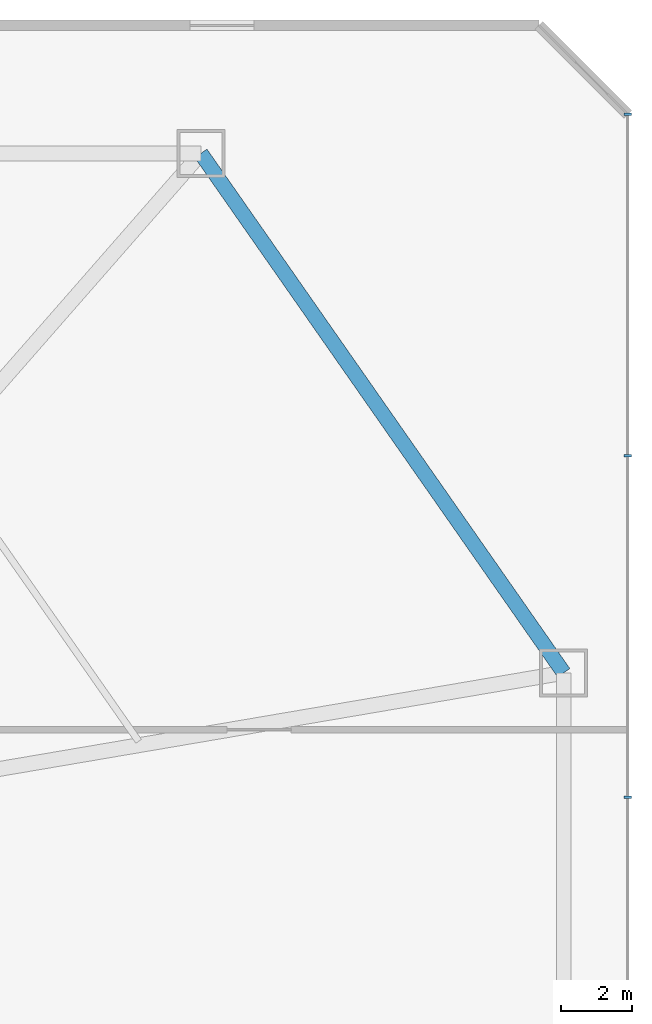
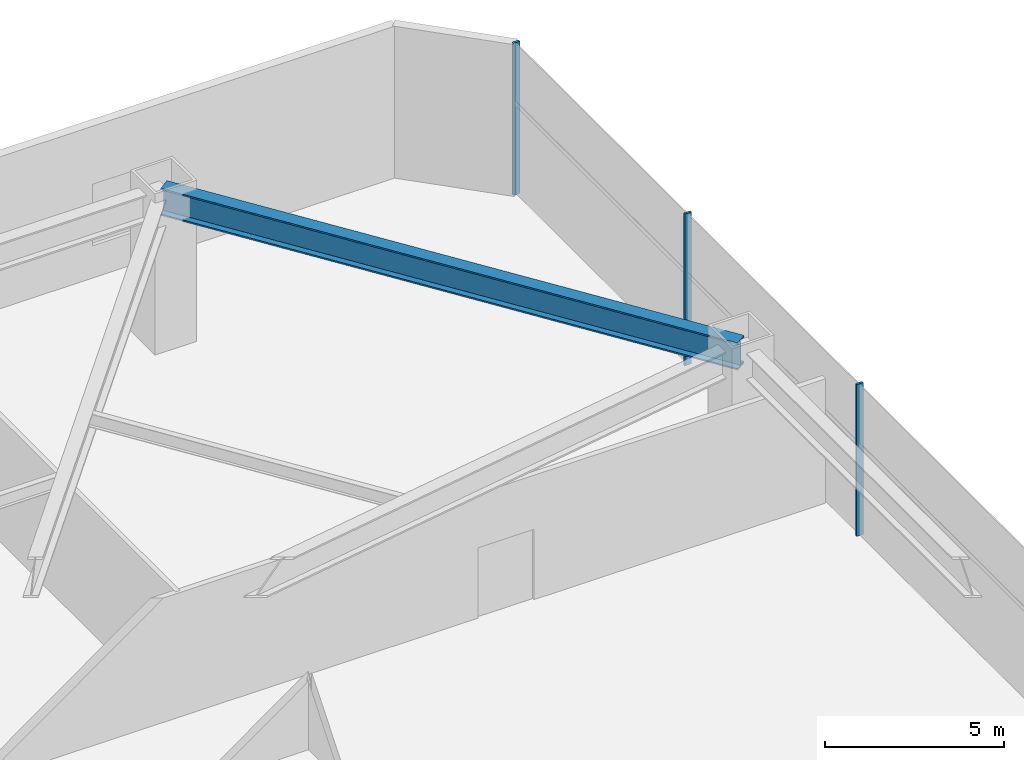
# One storey, part 11 of 20: 3 members, 1 beam, 1 element without a shape of its own.
"""IFC4 building model written with IfcOpenShell, lengths in metres."""

from ifc_helpers import new_model, si_unit, direction, frame, origin, origin_2d, place, context, subcontext, project, spatial, rectangle, i_section, extrude, source, transform, mapped, material, layer, layer_set, material_profile, profile_set, type_object, type_shapes, element, aggregate, save


model = new_model("IFC4")

# Units and contexts
model_context = context("Model", 3, precision=1e-05, world=origin(), true_north=direction((0.0, 1.0)))
body_context = subcontext(model_context, "Body", "Model", "MODEL_VIEW")
ifc_project = project(units=[si_unit("LENGTHUNIT", "METRE"), si_unit("AREAUNIT", "SQUARE_METRE"), si_unit("VOLUMEUNIT", "CUBIC_METRE"), si_unit("PLANEANGLEUNIT", "RADIAN"), si_unit("MASSUNIT", "GRAM", prefix="KILO")], contexts=[model_context])

# Site, building, storey
site_placement = place(None, origin())
site = spatial("IfcSite", under=ifc_project, at=site_placement, CompositionType="ELEMENT")
building_placement = place(site_placement, origin())
building = spatial("IfcBuilding", under=site, at=building_placement, Name="Varakhsha Concourse Tower", CompositionType="ELEMENT")
storey_placement = place(building_placement, frame((0.0, 0.0, 16.5)))
storey = spatial("IfcBuildingStorey", under=building, at=storey_placement, Name="L04", CompositionType="ELEMENT", Elevation=16.5)

# Beam
ifc_material_1 = material(Name="Structural Steel ASTM A992 Grade 50", Category="steel")
ifc_material_profile_1 = material_profile(ifc_material_1, i_section(OverallWidth=0.41796875, OverallDepth=0.927001953125, WebThickness=0.030029296875, FlangeThickness=0.051025390625, at=origin_2d()), Name="W36X231")
ifc_profile_set_1 = profile_set([ifc_material_profile_1], Name="Structural Steel ASTM A992 Grade 50")
beam_type = type_object("IfcBeamType", Name="BM-HALL-W36X231", PredefinedType="USERDEFINED", material=ifc_profile_set_1)
beam_placement = place(storey_placement, frame((75.199951171875, 35.800048828125, 4.716552734375), z_axis=(-0.572710457839, 0.819757727309, 0.0), x_axis=(-0.819757727309, -0.572710457839, 0.0)))
element("IfcBeam", 1, at=beam_placement, inside=storey, type_object=beam_type, Name="BM-PRING-L04-06", ObjectType="GIRDER", PredefinedType="USERDEFINED", context=body_context, shape_type="SweptSolid", body=[
    extrude(i_section(OverallWidth=0.41796875, OverallDepth=0.927001953125, WebThickness=0.030029296875, FlangeThickness=0.051025390625, at=origin_2d()), origin(), (0.0, 0.0, 1.0), 17.81005859375),
])

# Curtain wall, members
ifc_material_2 = material(Name="Anodised Bronze Architectural Aluminium AA 6063-T6", Category="aluminium")
ifc_layer = layer(ifc_material_2, 0.239990234375, Name="CW-SYS-01")
ifc_layer_set = layer_set([ifc_layer], Name="Anodised Bronze Architectural Aluminium AA 6063-T6")
curtain_wall_type = type_object("IfcCurtainWallType", Name="CW-SYS-01", PredefinedType="NOTDEFINED", material=ifc_layer_set)
curtain_wall_placement = place(storey_placement, origin())
curtain_wall = element("IfcCurtainWall", 2, at=curtain_wall_placement, inside=storey, type_object=curtain_wall_type, Name="L04 Podium Curtain Wall 03", PredefinedType="NOTDEFINED")
ifc_material_profile_2 = material_profile(ifc_material_2, rectangle(XDim=0.074951171875, YDim=0.219970703125, at=origin_2d()), Name="CWM-220X75")
ifc_profile_set_2 = profile_set([ifc_material_profile_2], Name="Anodised Bronze Architectural Aluminium AA 6063-T6")
member_type = type_object("IfcMemberType", Name="CWM-220X75", PredefinedType="MULLION", material=ifc_profile_set_2)
shared_shape = source(origin(), body_context, "Body", "SweptSolid", [
    extrude(rectangle(XDim=0.074951171875, YDim=0.219970703125, at=origin_2d()), origin(), (0.0, 0.0, 1.0), 5.179931640625),
])
type_shapes(member_type, [shared_shape])
member_1_placement = place(storey_placement, frame((77.0, 32.300048828125, 0.0), z_axis=(0.0, 0.0, 1.0), x_axis=(0.0, 1.0, 0.0)))
member_1 = element("IfcMember", 3, at=member_1_placement, type_object=member_type, Name="CW-POD-L04-03 Mullion 03", PredefinedType="MULLION", context=body_context, shape_type="MappedRepresentation", body=[
    mapped(shared_shape, transform((0.0, 0.0, 0.0), scale=1.0)),
])
member_2_placement = place(storey_placement, frame((77.0, 41.89990234375, 0.0), z_axis=(0.0, 0.0, 1.0), x_axis=(0.0, 1.0, 0.0)))
member_2 = element("IfcMember", 4, at=member_2_placement, type_object=member_type, Name="CW-POD-L04-03 Mullion 04", PredefinedType="MULLION", context=body_context, shape_type="MappedRepresentation", body=[
    mapped(shared_shape, transform((0.0, 0.0, 0.0), scale=1.0)),
])
member_3_placement = place(storey_placement, frame((77.0, 51.5, 0.0), z_axis=(0.0, 0.0, 1.0), x_axis=(0.0, 1.0, 0.0)))
member_3 = element("IfcMember", 5, at=member_3_placement, type_object=member_type, Name="CW-POD-L04-03 Mullion 05", PredefinedType="MULLION", context=body_context, shape_type="MappedRepresentation", body=[
    mapped(shared_shape, transform((0.0, 0.0, 0.0), scale=1.0)),
])
aggregate(curtain_wall, [member_1, member_2, member_3])

save(model, "model.ifc")
